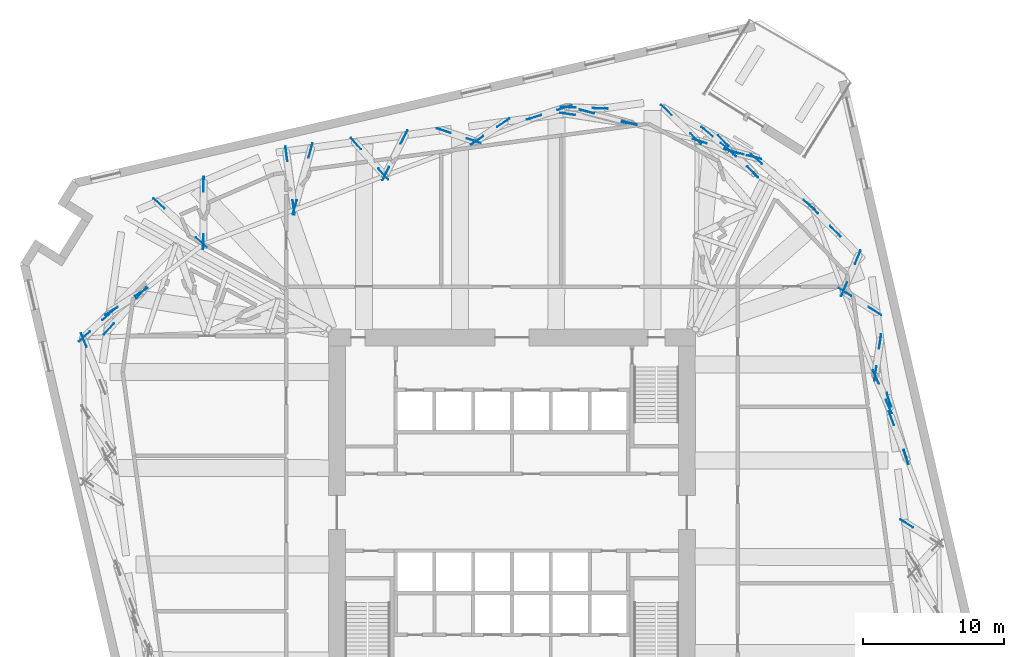
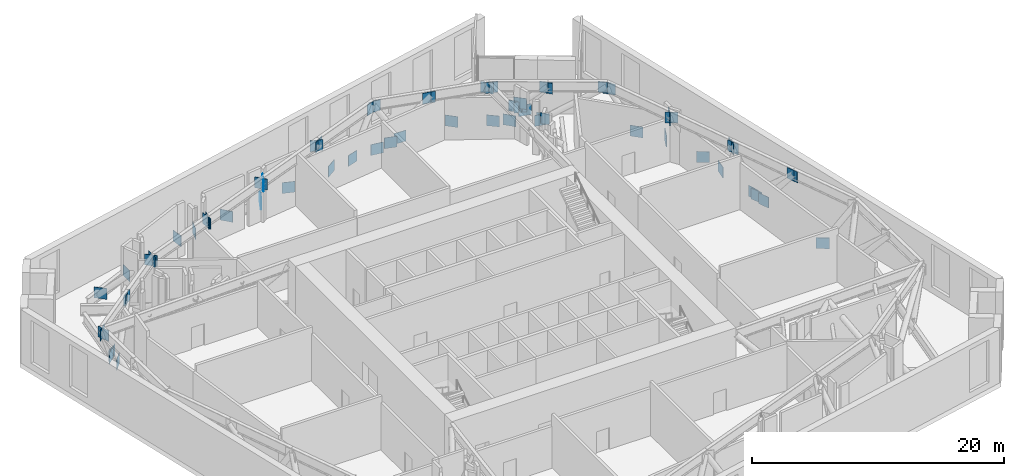
# One storey, part 14 of 17: 60 discrete accessories.
"""IFC4 building model written with IfcOpenShell, lengths in metres."""

from ifc_helpers import new_model, si_unit, direction, frame, origin, origin_2d, place, context, subcontext, project, spatial, rectangle, extrude, material, layer, layer_set, type_object, element, save


model = new_model("IFC4")

# Units and contexts
model_context = context("Model", 3, precision=1e-05, world=origin(), true_north=direction((0.0, 1.0)))
body_context = subcontext(model_context, "Body", "Model", "MODEL_VIEW")
ifc_project = project(units=[si_unit("LENGTHUNIT", "METRE"), si_unit("AREAUNIT", "SQUARE_METRE"), si_unit("VOLUMEUNIT", "CUBIC_METRE"), si_unit("PLANEANGLEUNIT", "RADIAN"), si_unit("MASSUNIT", "GRAM", prefix="KILO")], contexts=[model_context])

# Site, building, storey
site_placement = place(None, origin())
site = spatial("IfcSite", under=ifc_project, at=site_placement, CompositionType="ELEMENT")
building_placement = place(site_placement, origin())
building = spatial("IfcBuilding", under=site, at=building_placement, Name="Dilmun Exchange Tower", CompositionType="ELEMENT")
storey_placement = place(building_placement, frame((0.0, 0.0, 76.5)))
storey = spatial("IfcBuildingStorey", under=building, at=storey_placement, Name="L17", CompositionType="ELEMENT", Elevation=76.5)

# Discrete accessories
ifc_material = material(Name="Steel S355J2", Category="steel")
ifc_layer = layer(ifc_material, 0.0400390625)
ifc_layer_set = layer_set([ifc_layer], Name="Steel S355J2")
discrete_accessory_type = type_object("IfcDiscreteAccessoryType", Name="Gusset plate 40 x 1050 x 1050", PredefinedType="BRACKET", material=ifc_layer_set)
for number, where, z_axis, x_axis, name in (
    (1, (13.0078125, 26.466796875, 3.943359375), (0.0, 0.0, 1.0), (-0.711680372073, 0.702503414943, 0.0), "Gusset plate L17-DG01 end 1"),
    (2, (10.9404296875, 28.507568359375, 0.1826171875), (0.0, 0.0, 1.0), (-0.711680372073, 0.702503414943, 0.0), "Gusset plate L17-DG01 end 2"),
    (3, (13.302734375, 26.29736328125, 3.96923828125), (0.0, 0.0, 1.0), (0.954117595965, -0.299432151028, 0.0), "Gusset plate L17-DG02 end 1"),
    (4, (15.54248046875, 25.59423828125, 1.71826171875), (0.0, 0.0, 1.0), (0.954117595965, -0.299432151028, 0.0), "Gusset plate L17-DG02 end 2"),
    (5, (15.9091796875, 25.489990234375, 1.35791015625), (0.0, 0.0, 1.0), (0.968752214569, -0.248030535959, 0.0), "Gusset plate L17-DG02B end 1"),
    (6, (17.158447265625, 25.170166015625, 0.154296875), (0.0, 0.0, 1.0), (0.968752214569, -0.248030535959, 0.0), "Gusset plate L17-DG02B end 2"),
    (7, (8.325439453125, 27.577880859375, 3.94921875), (0.0, 0.0, 1.0), (-0.965096073492, 0.261896103311, 0.0), "Gusset plate L17-DG03 end 1"),
    (8, (5.297607421875, 28.399658203125, 0.1767578125), (0.0, 0.0, 1.0), (-0.965096073492, 0.261896103311, 0.0), "Gusset plate L17-DG03 end 2"),
    (9, (8.291748046875, 27.563720703125, 3.978515625), (0.0, 0.0, 1.0), (-0.98858767997, 0.150646603051, 0.0), "Gusset plate L17-DG04 end 1"),
    (10, (3.94384765625, 28.226318359375, 0.1474609375), (0.0, 0.0, 1.0), (-0.98858767997, 0.150646603051, 0.0), "Gusset plate L17-DG04 end 2"),
    (11, (3.72314453125, 28.672607421875, 3.9267578125), (0.0, 0.0, 1.0), (-0.952856029879, -0.303422784779, 0.0), "Gusset plate L17-DG05 end 1"),
    (12, (1.564208984375, 27.985107421875, 0.19921875), (0.0, 0.0, 1.0), (-0.952856029879, -0.303422784779, 0.0), "Gusset plate L17-DG05 end 2"),
    (13, (3.9892578125, 28.70849609375, 3.9267578125), (0.0, 0.0, 1.0), (0.999206467039, -0.039830091993, 0.0), "Gusset plate L17-DG06 end 1"),
    (14, (6.253173828125, 28.618408203125, 0.19921875), (0.0, 0.0, 1.0), (0.999206467039, -0.039830091993, 0.0), "Gusset plate L17-DG06 end 2"),
    (15, (-2.70654296875, 26.327392578125, 3.92578125), (0.0, 0.0, 1.0), (-0.94825551582, 0.317508230945, 0.0), "Gusset plate L17-DG07 end 1"),
    (16, (-4.828369140625, 27.037841796875, 0.2001953125), (0.0, 0.0, 1.0), (-0.94825551582, 0.317508230945, 0.0), "Gusset plate L17-DG07 end 2"),
    (17, (-2.46630859375, 26.35986328125, 3.92578125), (0.0, 0.0, 1.0), (0.830063874333, 0.557668328423, 0.0), "Gusset plate L17-DG08 end 1"),
    (18, (-0.609130859375, 27.607666015625, 0.2001953125), (0.0, 0.0, 1.0), (0.830063874333, 0.557668328423, 0.0), "Gusset plate L17-DG08 end 2"),
    (19, (-9.11669921875, 23.97412109375, 3.94287109375), (0.0, 0.0, 1.0), (-0.667067051257, 0.744997683975, 0.0), "Gusset plate L17-DG09 end 1"),
    (20, (-11.04248046875, 26.125, 0.18310546875), (0.0, 0.0, 1.0), (-0.667067051257, 0.744997683975, 0.0), "Gusset plate L17-DG09 end 2"),
    (21, (-8.938720703125, 23.998046875, 3.94287109375), (0.0, 0.0, 1.0), (0.445466669347, 0.895298523679, 0.0), "Gusset plate L17-DG10 end 1"),
    (22, (-7.652587890625, 26.5830078125, 0.18310546875), (0.0, 0.0, 1.0), (0.445466669347, 0.895298523679, 0.0), "Gusset plate L17-DG10 end 2"),
    (23, (-15.46630859375, 21.610107421875, 3.9658203125), (0.0, 0.0, 1.0), (-0.133891057243, 0.9909960569, 0.0), "Gusset plate L17-DG11 end 1"),
    (24, (-15.97900390625, 25.403564453125, 0.16015625), (0.0, 0.0, 1.0), (-0.133891057243, 0.9909960569, 0.0), "Gusset plate L17-DG11 end 2"),
    (25, (-15.3896484375, 21.6123046875, 3.9736328125), (0.0, 0.0, 1.0), (0.2672736948, 0.963620657763, 0.0), "Gusset plate L17-DG12 end 1"),
    (26, (-14.27197265625, 25.642333984375, 0.15185546875), (0.0, 0.0, 1.0), (0.2672736948, 0.963620657763, 0.0), "Gusset plate L17-DG12 end 2"),
    (27, (-22.013671875, 19.125732421875, 3.97119140625), (0.0, 0.0, 1.0), (-0.734894473424, 0.678181474925, 0.0), "Gusset plate L17-DG13 end 1"),
    (28, (-25.0029296875, 21.884521484375, 0.15478515625), (0.0, 0.0, 1.0), (-0.734894473424, 0.678181474925, 0.0), "Gusset plate L17-DG13 end 2"),
    (29, (-21.87158203125, 19.1875, 3.97119140625), (0.0, 0.0, 1.0), (0.007257015331, 0.999973667518, 0.0), "Gusset plate L17-DG14 end 1"),
    (30, (-21.842041015625, 23.2548828125, 0.15478515625), (0.0, 0.0, 1.0), (0.007257015331, 0.999973667518, 0.0), "Gusset plate L17-DG14 end 2"),
    (31, (-26.251953125, 15.552490234375, 3.95703125), (0.0, 0.0, 1.0), (-0.670082078812, -0.742287011644, 0.0), "Gusset plate L17-DG15 end 1"),
    (32, (-28.5615234375, 12.99365234375, 0.1689453125), (0.0, 0.0, 1.0), (-0.670082078812, -0.742287011644, 0.0), "Gusset plate L17-DG15 end 2"),
    (33, (-26.2568359375, 15.60595703125, 3.9326171875), (0.0, 0.0, 1.0), (-0.846236875374, -0.532806860651, 0.0), "Gusset plate L17-DG16 end 1"),
    (34, (-28.367431640625, 14.27685546875, 0.193359375), (0.0, 0.0, 1.0), (-0.846236875374, -0.532806860651, 0.0), "Gusset plate L17-DG16 end 2"),
    (35, (-30.326904296875, 12.20361328125, 3.96044921875), (0.0, 0.0, 1.0), (0.371910644056, -0.928268534875, 0.0), "Gusset plate L17-DG17 end 1"),
    (36, (-30.292724609375, 12.46240234375, 3.9267578125), (0.0, 0.0, 1.0), (0.742188764503, 0.67019089657, 0.0), "Gusset plate L17-DG18 end 1"),
    (37, (-28.60986328125, 13.982177734375, 0.19921875), (0.0, 0.0, 1.0), (0.742188764503, 0.67019089657, 0.0), "Gusset plate L17-DG18 end 2"),
    (38, (27.970947265625, -0.79345703125, 0.19287109375), (0.0, 0.0, 1.0), (-0.847324974437, 0.531074747747, 0.0), "Gusset plate L17-DG53 end 2"),
    (39, (27.921630859375, 3.905517578125, 3.9443359375), (0.0, 0.0, 1.0), (-0.350578453676, 0.936533367168, 0.0), "Gusset plate L17-DG55 end 1"),
    (40, (26.884765625, 6.67529296875, 0.18115234375), (0.0, 0.0, 1.0), (-0.350578453676, 0.936533367168, 0.0), "Gusset plate L17-DG55 end 2"),
    (41, (27.92236328125, 3.939697265625, 3.974609375), (0.0, 0.0, 1.0), (-0.288909823445, 0.957356315024, 0.0), "Gusset plate L17-DG56 end 1"),
    (42, (26.703369140625, 7.978759765625, 0.1513671875), (0.0, 0.0, 1.0), (-0.288909823445, 0.957356315024, 0.0), "Gusset plate L17-DG56 end 2"),
    (43, (25.745849609375, 9.852294921875, 3.9267578125), (0.0, 0.0, 1.0), (0.145407891676, 0.989371793128, 0.0), "Gusset plate L17-DG57 end 1"),
    (44, (26.076904296875, 12.10400390625, 0.19921875), (0.0, 0.0, 1.0), (0.145407891676, 0.989371793128, 0.0), "Gusset plate L17-DG57 end 2"),
    (45, (25.781005859375, 9.591796875, 3.9267578125), (0.0, 0.0, 1.0), (0.402757872468, -0.915306558572, 0.0), "Gusset plate L17-DG58 end 1"),
    (46, (26.69775390625, 7.5087890625, 0.19921875), (0.0, 0.0, 1.0), (0.402757872468, -0.915306558572, 0.0), "Gusset plate L17-DG58 end 2"),
    (47, (23.530029296875, 15.813720703125, 3.931640625), (0.0, 0.0, 1.0), (0.391908434525, 0.92000422768, 0.0), "Gusset plate L17-DG59 end 1"),
    (48, (24.49462890625, 18.078125, 0.1943359375), (0.0, 0.0, 1.0), (0.391908434525, 0.92000422768, 0.0), "Gusset plate L17-DG59 end 2"),
    (49, (23.5966796875, 15.602783203125, 3.93310546875), (0.0, 0.0, 1.0), (0.844427976555, -0.535669107202, 0.0), "Gusset plate L17-DG60 end 1"),
    (50, (25.710693359375, 14.26171875, 0.19287109375), (0.0, 0.0, 1.0), (0.844427976555, -0.535669107202, 0.0), "Gusset plate L17-DG60 end 2"),
    (51, (21.0615234375, 21.783447265625, 3.9951171875), (0.0, 0.0, 1.0), (-0.755189149722, 0.655506939813, 0.0), "Gusset plate L17-DG61 end 1"),
    (52, (17.308349609375, 25.041259765625, 0.32421875), (0.0, 0.0, 1.0), (-0.755189149722, 0.655506939813, 0.0), "Gusset plate L17-DG61 end 2"),
    (53, (21.31689453125, 21.547607421875, 3.9267578125), (0.0, 0.0, 1.0), (0.70183360336, -0.712340924835, 0.0), "Gusset plate L17-DG62 end 1"),
    (54, (22.914794921875, 19.92578125, 0.19921875), (0.0, 0.0, 1.0), (0.70183360336, -0.712340924835, 0.0), "Gusset plate L17-DG62 end 2"),
    (55, (17.058349609375, 24.11962890625, 3.94677734375), (0.0, 0.0, 1.0), (-0.685479134251, 0.728092271973, 0.0), "Gusset plate L17-DG63 end 1"),
    (56, (14.971435546875, 26.33642578125, 0.17919921875), (0.0, 0.0, 1.0), (-0.685479134251, 0.728092271973, 0.0), "Gusset plate L17-DG63 end 2"),
    (57, (17.027587890625, 24.134033203125, 3.9775390625), (0.0, 0.0, 1.0), (-0.730544966612, 0.68286459255, 0.0), "Gusset plate L17-DG64 end 1"),
    (58, (15.490478515625, 25.57080078125, 2.1240234375), (0.0, 0.0, 1.0), (-0.730544966612, 0.68286459255, 0.0), "Gusset plate L17-DG64 end 2"),
    (59, (15.197021484375, 25.8291015625, 1.7744140625), (0.0, 0.0, 1.0), (-0.770148211706, 0.637864979447, 0.0), "Gusset plate L17-DG64B end 1"),
    (60, (13.818603515625, 26.970947265625, 0.1513671875), (0.0, 0.0, 1.0), (-0.770148211706, 0.637864979447, 0.0), "Gusset plate L17-DG64B end 2"),
):
    element("IfcDiscreteAccessory", number, at=place(storey_placement, frame(where, z_axis=z_axis, x_axis=x_axis)), inside=storey, type_object=discrete_accessory_type, Name=name, PredefinedType="BRACKET", context=body_context, shape_type="SweptSolid", body=[
        extrude(rectangle(XDim=1.050048828125, YDim=0.0400390625, at=origin_2d()), origin(), (0.0, 0.0, 1.0), 1.050048828125),
    ])

save(model, "model.ifc")
